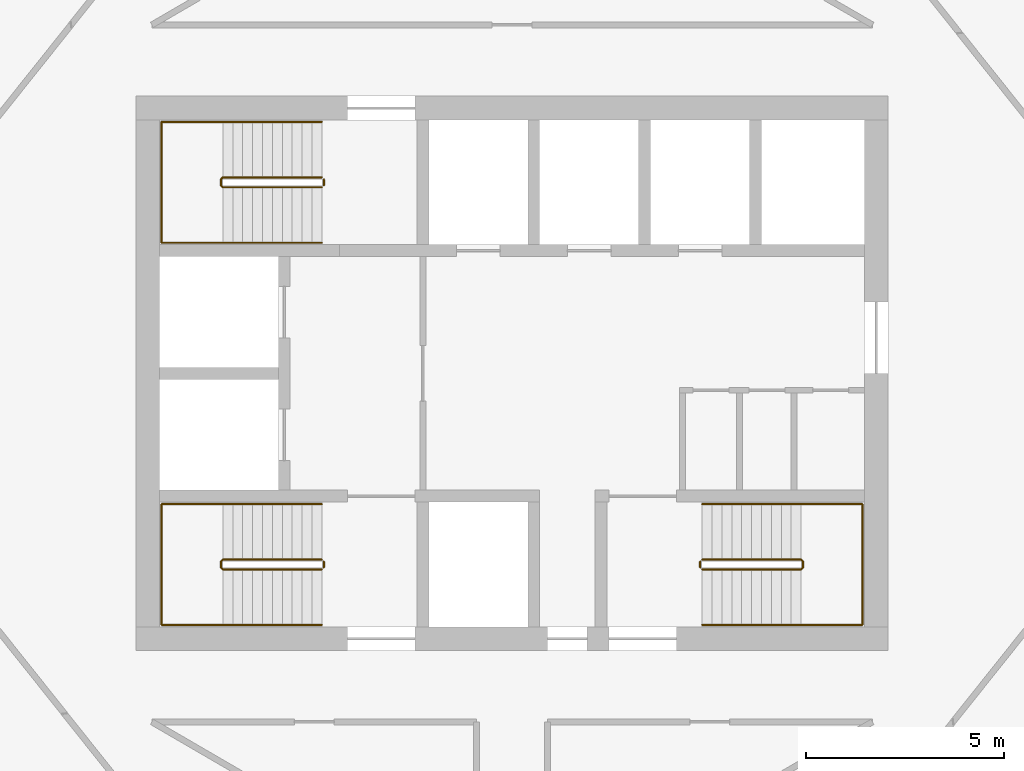
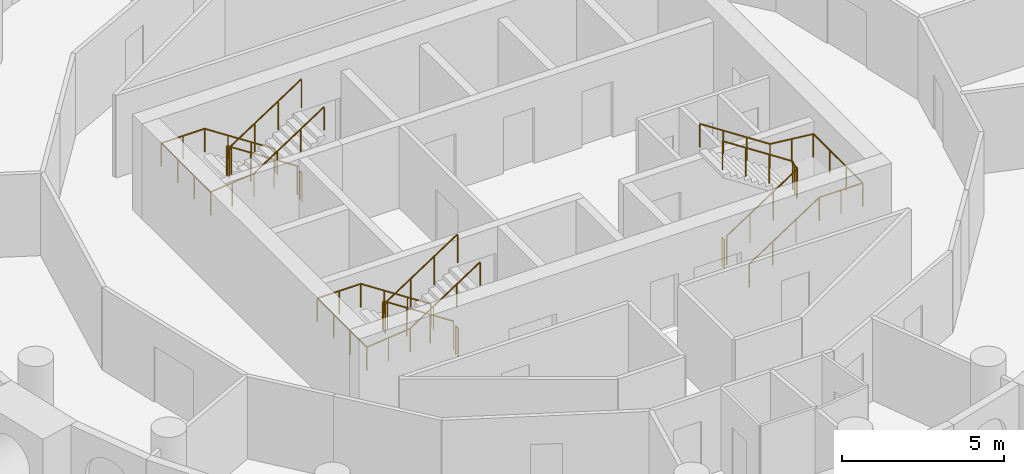
# One storey, part 13 of 13: 9 railings.
"""IFC4 building model written with IfcOpenShell, lengths in metres."""

from ifc_helpers import new_model, si_unit, direction, frame, origin, origin_2d, place, context, subcontext, project, spatial, circle, extrude, material, type_object, element, save


model = new_model("IFC4")

# Units and contexts
model_context = context("Model", 3, precision=1e-05, world=origin(), true_north=direction((0.0, 1.0)))
body_context = subcontext(model_context, "Body", "Model", "MODEL_VIEW")
ifc_project = project(units=[si_unit("LENGTHUNIT", "METRE"), si_unit("AREAUNIT", "SQUARE_METRE"), si_unit("VOLUMEUNIT", "CUBIC_METRE"), si_unit("PLANEANGLEUNIT", "RADIAN"), si_unit("MASSUNIT", "GRAM", prefix="KILO")], contexts=[model_context])

# Site, building, storey
site_placement = place(None, origin())
site = spatial("IfcSite", under=ifc_project, at=site_placement, CompositionType="ELEMENT")
building_placement = place(site_placement, origin())
building = spatial("IfcBuilding", under=site, at=building_placement, Name="Tracery Tower", CompositionType="ELEMENT")
storey_placement = place(building_placement, frame((0.0, 0.0, 274.199951171875)))
storey = spatial("IfcBuildingStorey", under=building, at=storey_placement, Name="L71", CompositionType="ELEMENT", Elevation=274.199951171875)

# Railings
ifc_material_1 = material(Name="Stainless steel and laminated glass", Category="steel")
railing_type_1 = type_object("IfcRailingType", Name="Stair guard 1100", PredefinedType="GUARDRAIL", material=ifc_material_1)
railing_1_placement = place(storey_placement, frame((-4.800048828125, -4.699951171875, 0.16357421875)))
element("IfcRailing", 1, at=railing_1_placement, inside=storey, type_object=railing_type_1, Name="L71 stair ST1 guard 1", PredefinedType="GUARDRAIL", context=body_context, shape_type="SweptSolid", body=[
    extrude(circle(Radius=0.02392578125, at=origin_2d()), frame((0.0, 0.0, 1.076171875), z_axis=(-0.83668449804, 0.0, 0.54768517484), x_axis=(0.0, -1.0, 0.0)), (0.0, 0.0, 1.0), 2.988037109375),
    extrude(circle(Radius=0.02392578125, at=origin_2d()), frame((-2.5, 0.0, 2.71240234375), z_axis=(-0.707106781187, -0.707106781187, 0.0), x_axis=(0.707106781187, -0.707106781187, 0.0)), (0.0, 0.0, 1.0), 0.07080078125),
    extrude(circle(Radius=0.02392578125, at=origin_2d()), frame((-2.550048828125, -0.050048828125, 2.71240234375), z_axis=(0.0, -1.0, 0.0), x_axis=(1.0, 0.0, 0.0)), (0.0, 0.0, 1.0), 0.14990234375),
    extrude(circle(Radius=0.02392578125, at=origin_2d()), frame((-2.550048828125, -0.199951171875, 2.71240234375), z_axis=(0.280808744504, -0.280808744504, 0.917765164963), x_axis=(0.707106781187, 0.707106781187, 0.0)), (0.0, 0.0, 1.0), 0.17822265625),
    extrude(circle(Radius=0.02392578125, at=origin_2d()), frame((-2.5, -0.25, 2.8759765625), z_axis=(0.83668449804, 0.0, 0.54768517484), x_axis=(0.0, 1.0, 0.0)), (0.0, 0.0, 1.0), 2.988037109375),
    extrude(circle(Radius=0.02099609375, at=origin_2d()), origin(), (0.0, 0.0, 1.0), 1.052001953125),
    extrude(circle(Radius=0.02099609375, at=origin_2d()), frame((-0.833251953125, 0.0, 0.54541015625)), (0.0, 0.0, 1.0), 1.052001953125),
    extrude(circle(Radius=0.02099609375, at=origin_2d()), frame((-1.666748046875, 0.0, 1.091064453125)), (0.0, 0.0, 1.0), 1.052001953125),
    extrude(circle(Radius=0.02099609375, at=origin_2d()), frame((-2.5, 0.0, 1.636474609375)), (0.0, 0.0, 1.0), 1.052001953125),
    extrude(circle(Radius=0.02099609375, at=origin_2d()), frame((-2.550048828125, -0.050048828125, 1.636474609375)), (0.0, 0.0, 1.0), 1.052001953125),
    extrude(circle(Radius=0.02099609375, at=origin_2d()), frame((-2.550048828125, -0.199951171875, 1.636474609375)), (0.0, 0.0, 1.0), 1.052001953125),
    extrude(circle(Radius=0.02099609375, at=origin_2d()), frame((-2.5, -0.25, 1.800048828125)), (0.0, 0.0, 1.0), 1.052001953125),
    extrude(circle(Radius=0.02099609375, at=origin_2d()), frame((-1.666748046875, -0.25, 2.345458984375)), (0.0, 0.0, 1.0), 1.052001953125),
    extrude(circle(Radius=0.02099609375, at=origin_2d()), frame((-0.833251953125, -0.25, 2.89111328125)), (0.0, 0.0, 1.0), 1.052001953125),
    extrude(circle(Radius=0.02099609375, at=origin_2d()), frame((0.0, -0.25, 3.4365234375)), (0.0, 0.0, 1.0), 1.052001953125),
])
railing_2_placement = place(storey_placement, frame((-4.75, -4.75, 0.0)))
element("IfcRailing", 2, at=railing_2_placement, inside=storey, type_object=railing_type_1, Name="L71 stair ST1 guard 2", PredefinedType="GUARDRAIL", context=body_context, shape_type="SweptSolid", body=[
    extrude(circle(Radius=0.02392578125, at=origin_2d()), frame((0.0, 0.0, 1.076171875), z_axis=(0.0, -1.0, 0.0), x_axis=(1.0, 0.0, 0.0)), (0.0, 0.0, 1.0), 0.14990234375),
    extrude(circle(Radius=0.02099609375, at=origin_2d()), origin(), (0.0, 0.0, 1.0), 1.052001953125),
    extrude(circle(Radius=0.02099609375, at=origin_2d()), frame((0.0, -0.14990234375, 0.0)), (0.0, 0.0, 1.0), 1.052001953125),
])
railing_3_placement = place(storey_placement, frame((-4.800048828125, 4.949951171875, 0.16357421875)))
element("IfcRailing", 3, at=railing_3_placement, inside=storey, type_object=railing_type_1, Name="L71 stair ST3 guard 1", PredefinedType="GUARDRAIL", context=body_context, shape_type="SweptSolid", body=[
    extrude(circle(Radius=0.02392578125, at=origin_2d()), frame((0.0, 0.0, 1.076171875), z_axis=(-0.83668449804, 0.0, 0.54768517484), x_axis=(0.0, -1.0, 0.0)), (0.0, 0.0, 1.0), 2.988037109375),
    extrude(circle(Radius=0.02392578125, at=origin_2d()), frame((-2.5, 0.0, 2.71240234375), z_axis=(-0.707106781187, -0.707106781187, 0.0), x_axis=(0.707106781187, -0.707106781187, 0.0)), (0.0, 0.0, 1.0), 0.07080078125),
    extrude(circle(Radius=0.02392578125, at=origin_2d()), frame((-2.550048828125, -0.050048828125, 2.71240234375), z_axis=(0.0, -1.0, 0.0), x_axis=(1.0, 0.0, 0.0)), (0.0, 0.0, 1.0), 0.14990234375),
    extrude(circle(Radius=0.02392578125, at=origin_2d()), frame((-2.550048828125, -0.199951171875, 2.71240234375), z_axis=(0.280808744504, -0.280808744504, 0.917765164963), x_axis=(0.707106781187, 0.707106781187, 0.0)), (0.0, 0.0, 1.0), 0.17822265625),
    extrude(circle(Radius=0.02392578125, at=origin_2d()), frame((-2.5, -0.25, 2.8759765625), z_axis=(0.83668449804, 0.0, 0.54768517484), x_axis=(0.0, 1.0, 0.0)), (0.0, 0.0, 1.0), 2.988037109375),
    extrude(circle(Radius=0.02099609375, at=origin_2d()), origin(), (0.0, 0.0, 1.0), 1.052001953125),
    extrude(circle(Radius=0.02099609375, at=origin_2d()), frame((-0.833251953125, 0.0, 0.54541015625)), (0.0, 0.0, 1.0), 1.052001953125),
    extrude(circle(Radius=0.02099609375, at=origin_2d()), frame((-1.666748046875, 0.0, 1.091064453125)), (0.0, 0.0, 1.0), 1.052001953125),
    extrude(circle(Radius=0.02099609375, at=origin_2d()), frame((-2.5, 0.0, 1.636474609375)), (0.0, 0.0, 1.0), 1.052001953125),
    extrude(circle(Radius=0.02099609375, at=origin_2d()), frame((-2.550048828125, -0.050048828125, 1.636474609375)), (0.0, 0.0, 1.0), 1.052001953125),
    extrude(circle(Radius=0.02099609375, at=origin_2d()), frame((-2.550048828125, -0.199951171875, 1.636474609375)), (0.0, 0.0, 1.0), 1.052001953125),
    extrude(circle(Radius=0.02099609375, at=origin_2d()), frame((-2.5, -0.25, 1.800048828125)), (0.0, 0.0, 1.0), 1.052001953125),
    extrude(circle(Radius=0.02099609375, at=origin_2d()), frame((-1.666748046875, -0.25, 2.345458984375)), (0.0, 0.0, 1.0), 1.052001953125),
    extrude(circle(Radius=0.02099609375, at=origin_2d()), frame((-0.833251953125, -0.25, 2.89111328125)), (0.0, 0.0, 1.0), 1.052001953125),
    extrude(circle(Radius=0.02099609375, at=origin_2d()), frame((0.0, -0.25, 3.4365234375)), (0.0, 0.0, 1.0), 1.052001953125),
])
railing_4_placement = place(storey_placement, frame((-4.75, 4.89990234375, 0.0)))
element("IfcRailing", 4, at=railing_4_placement, inside=storey, type_object=railing_type_1, Name="L71 stair ST3 guard 2", PredefinedType="GUARDRAIL", context=body_context, shape_type="SweptSolid", body=[
    extrude(circle(Radius=0.02392578125, at=origin_2d()), frame((0.0, 0.0, 1.076171875), z_axis=(0.0, -1.0, 0.0), x_axis=(1.0, 0.0, 0.0)), (0.0, 0.0, 1.0), 0.14990234375),
    extrude(circle(Radius=0.02099609375, at=origin_2d()), origin(), (0.0, 0.0, 1.0), 1.052001953125),
    extrude(circle(Radius=0.02099609375, at=origin_2d()), frame((0.0, -0.14990234375, 0.0)), (0.0, 0.0, 1.0), 1.052001953125),
])
railing_5_placement = place(storey_placement, frame((4.800048828125, -4.949951171875, 0.16357421875)))
element("IfcRailing", 5, at=railing_5_placement, inside=storey, type_object=railing_type_1, Name="L71 stair ST2 guard 1", PredefinedType="GUARDRAIL", context=body_context, shape_type="SweptSolid", body=[
    extrude(circle(Radius=0.02392578125, at=origin_2d()), frame((0.0, 0.0, 1.076171875), z_axis=(0.83668449804, 0.0, 0.54768517484), x_axis=(0.0, 1.0, 0.0)), (0.0, 0.0, 1.0), 2.988037109375),
    extrude(circle(Radius=0.02392578125, at=origin_2d()), frame((2.5, 0.0, 2.71240234375), z_axis=(0.707106781187, 0.707106781187, 0.0), x_axis=(-0.707106781187, 0.707106781187, 0.0)), (0.0, 0.0, 1.0), 0.07080078125),
    extrude(circle(Radius=0.02392578125, at=origin_2d()), frame((2.550048828125, 0.050048828125, 2.71240234375), z_axis=(0.0, 1.0, 0.0), x_axis=(-1.0, 0.0, 0.0)), (0.0, 0.0, 1.0), 0.14990234375),
    extrude(circle(Radius=0.02392578125, at=origin_2d()), frame((2.550048828125, 0.199951171875, 2.71240234375), z_axis=(-0.280808744504, 0.280808744504, 0.917765164963), x_axis=(-0.707106781187, -0.707106781187, 0.0)), (0.0, 0.0, 1.0), 0.17822265625),
    extrude(circle(Radius=0.02392578125, at=origin_2d()), frame((2.5, 0.25, 2.8759765625), z_axis=(-0.83668449804, 0.0, 0.54768517484), x_axis=(0.0, -1.0, 0.0)), (0.0, 0.0, 1.0), 2.988037109375),
    extrude(circle(Radius=0.02099609375, at=origin_2d()), origin(), (0.0, 0.0, 1.0), 1.052001953125),
    extrude(circle(Radius=0.02099609375, at=origin_2d()), frame((0.833251953125, 0.0, 0.54541015625)), (0.0, 0.0, 1.0), 1.052001953125),
    extrude(circle(Radius=0.02099609375, at=origin_2d()), frame((1.666748046875, 0.0, 1.091064453125)), (0.0, 0.0, 1.0), 1.052001953125),
    extrude(circle(Radius=0.02099609375, at=origin_2d()), frame((2.5, 0.0, 1.636474609375)), (0.0, 0.0, 1.0), 1.052001953125),
    extrude(circle(Radius=0.02099609375, at=origin_2d()), frame((2.550048828125, 0.050048828125, 1.636474609375)), (0.0, 0.0, 1.0), 1.052001953125),
    extrude(circle(Radius=0.02099609375, at=origin_2d()), frame((2.550048828125, 0.199951171875, 1.636474609375)), (0.0, 0.0, 1.0), 1.052001953125),
    extrude(circle(Radius=0.02099609375, at=origin_2d()), frame((2.5, 0.25, 1.800048828125)), (0.0, 0.0, 1.0), 1.052001953125),
    extrude(circle(Radius=0.02099609375, at=origin_2d()), frame((1.666748046875, 0.25, 2.345458984375)), (0.0, 0.0, 1.0), 1.052001953125),
    extrude(circle(Radius=0.02099609375, at=origin_2d()), frame((0.833251953125, 0.25, 2.89111328125)), (0.0, 0.0, 1.0), 1.052001953125),
    extrude(circle(Radius=0.02099609375, at=origin_2d()), frame((0.0, 0.25, 3.4365234375)), (0.0, 0.0, 1.0), 1.052001953125),
])
railing_6_placement = place(storey_placement, frame((4.75, -4.89990234375, 0.0)))
element("IfcRailing", 6, at=railing_6_placement, inside=storey, type_object=railing_type_1, Name="L71 stair ST2 guard 2", PredefinedType="GUARDRAIL", context=body_context, shape_type="SweptSolid", body=[
    extrude(circle(Radius=0.02392578125, at=origin_2d()), frame((0.0, 0.0, 1.076171875), z_axis=(0.0, 1.0, 0.0), x_axis=(-1.0, 0.0, 0.0)), (0.0, 0.0, 1.0), 0.14990234375),
    extrude(circle(Radius=0.02099609375, at=origin_2d()), origin(), (0.0, 0.0, 1.0), 1.052001953125),
    extrude(circle(Radius=0.02099609375, at=origin_2d()), frame((0.0, 0.14990234375, 0.0)), (0.0, 0.0, 1.0), 1.052001953125),
])
ifc_material_2 = material(Name="Stainless steel and laminated glass", Category="steel")
railing_type_2 = type_object("IfcRailingType", Name="Stair handrail 900", PredefinedType="HANDRAIL", material=ifc_material_2)
railing_7_placement = place(storey_placement, frame((-4.800048828125, -3.300048828125, 0.16357421875)))
element("IfcRailing", 7, at=railing_7_placement, inside=storey, type_object=railing_type_2, Name="L71 stair ST1 handrail 1", PredefinedType="HANDRAIL", context=body_context, shape_type="SweptSolid", body=[
    extrude(circle(Radius=0.02392578125, at=origin_2d()), frame((0.0, 0.0, 0.8759765625), z_axis=(-0.83668449804, 0.0, 0.54768517484), x_axis=(0.0, -1.0, 0.0)), (0.0, 0.0, 1.0), 2.988037109375),
    extrude(circle(Radius=0.02392578125, at=origin_2d()), frame((-2.5, 0.0, 2.51220703125), z_axis=(-1.0, 0.0, 0.0), x_axis=(0.0, -1.0, 0.0)), (0.0, 0.0, 1.0), 1.550048828125),
    extrude(circle(Radius=0.02392578125, at=origin_2d()), frame((-4.050048828125, 0.0, 2.51220703125), z_axis=(0.0, -1.0, 0.0), x_axis=(1.0, 0.0, 0.0)), (0.0, 0.0, 1.0), 3.050048828125),
    extrude(circle(Radius=0.02392578125, at=origin_2d()), frame((-4.050048828125, -3.050048828125, 2.51220703125), z_axis=(0.994477953863, 0.0, 0.104945696817), x_axis=(0.0, 1.0, 0.0)), (0.0, 0.0, 1.0), 1.55859375),
    extrude(circle(Radius=0.02392578125, at=origin_2d()), frame((-2.5, -3.050048828125, 2.67578125), z_axis=(0.83668449804, 0.0, 0.54768517484), x_axis=(0.0, 1.0, 0.0)), (0.0, 0.0, 1.0), 2.988037109375),
    extrude(circle(Radius=0.02099609375, at=origin_2d()), origin(), (0.0, 0.0, 1.0), 0.851806640625),
    extrude(circle(Radius=0.02099609375, at=origin_2d()), frame((-0.833251953125, 0.0, 0.54541015625)), (0.0, 0.0, 1.0), 0.851806640625),
    extrude(circle(Radius=0.02099609375, at=origin_2d()), frame((-1.666748046875, 0.0, 1.091064453125)), (0.0, 0.0, 1.0), 0.851806640625),
    extrude(circle(Radius=0.02099609375, at=origin_2d()), frame((-2.5, 0.0, 1.636474609375)), (0.0, 0.0, 1.0), 0.851806640625),
    extrude(circle(Radius=0.02099609375, at=origin_2d()), frame((-3.27490234375, 0.0, 1.636474609375)), (0.0, 0.0, 1.0), 0.851806640625),
    extrude(circle(Radius=0.02099609375, at=origin_2d()), frame((-4.050048828125, 0.0, 1.636474609375)), (0.0, 0.0, 1.0), 0.851806640625),
    extrude(circle(Radius=0.02099609375, at=origin_2d()), frame((-4.050048828125, -1.0166015625, 1.636474609375)), (0.0, 0.0, 1.0), 0.851806640625),
    extrude(circle(Radius=0.02099609375, at=origin_2d()), frame((-4.050048828125, -2.033447265625, 1.636474609375)), (0.0, 0.0, 1.0), 0.851806640625),
    extrude(circle(Radius=0.02099609375, at=origin_2d()), frame((-4.050048828125, -3.050048828125, 1.636474609375)), (0.0, 0.0, 1.0), 0.851806640625),
    extrude(circle(Radius=0.02099609375, at=origin_2d()), frame((-3.27490234375, -3.050048828125, 1.71826171875)), (0.0, 0.0, 1.0), 0.851806640625),
    extrude(circle(Radius=0.02099609375, at=origin_2d()), frame((-2.5, -3.050048828125, 1.800048828125)), (0.0, 0.0, 1.0), 0.851806640625),
    extrude(circle(Radius=0.02099609375, at=origin_2d()), frame((-1.666748046875, -3.050048828125, 2.345458984375)), (0.0, 0.0, 1.0), 0.851806640625),
    extrude(circle(Radius=0.02099609375, at=origin_2d()), frame((-0.833251953125, -3.050048828125, 2.89111328125)), (0.0, 0.0, 1.0), 0.851806640625),
    extrude(circle(Radius=0.02099609375, at=origin_2d()), frame((0.0, -3.050048828125, 3.4365234375)), (0.0, 0.0, 1.0), 0.851806640625),
])
railing_8_placement = place(storey_placement, frame((-4.800048828125, 6.35009765625, 0.16357421875)))
element("IfcRailing", 8, at=railing_8_placement, inside=storey, type_object=railing_type_2, Name="L71 stair ST3 handrail 1", PredefinedType="HANDRAIL", context=body_context, shape_type="SweptSolid", body=[
    extrude(circle(Radius=0.02392578125, at=origin_2d()), frame((0.0, 0.0, 0.8759765625), z_axis=(-0.83668449804, 0.0, 0.54768517484), x_axis=(0.0, -1.0, 0.0)), (0.0, 0.0, 1.0), 2.988037109375),
    extrude(circle(Radius=0.02392578125, at=origin_2d()), frame((-2.5, 0.0, 2.51220703125), z_axis=(-1.0, 0.0, 0.0), x_axis=(0.0, -1.0, 0.0)), (0.0, 0.0, 1.0), 1.550048828125),
    extrude(circle(Radius=0.02392578125, at=origin_2d()), frame((-4.050048828125, 0.0, 2.51220703125), z_axis=(0.0, -1.0, 0.0), x_axis=(1.0, 0.0, 0.0)), (0.0, 0.0, 1.0), 3.050048828125),
    extrude(circle(Radius=0.02392578125, at=origin_2d()), frame((-4.050048828125, -3.050048828125, 2.51220703125), z_axis=(0.994477953863, 0.0, 0.104945696817), x_axis=(0.0, 1.0, 0.0)), (0.0, 0.0, 1.0), 1.55859375),
    extrude(circle(Radius=0.02392578125, at=origin_2d()), frame((-2.5, -3.050048828125, 2.67578125), z_axis=(0.83668449804, 0.0, 0.54768517484), x_axis=(0.0, 1.0, 0.0)), (0.0, 0.0, 1.0), 2.988037109375),
    extrude(circle(Radius=0.02099609375, at=origin_2d()), origin(), (0.0, 0.0, 1.0), 0.851806640625),
    extrude(circle(Radius=0.02099609375, at=origin_2d()), frame((-0.833251953125, 0.0, 0.54541015625)), (0.0, 0.0, 1.0), 0.851806640625),
    extrude(circle(Radius=0.02099609375, at=origin_2d()), frame((-1.666748046875, 0.0, 1.091064453125)), (0.0, 0.0, 1.0), 0.851806640625),
    extrude(circle(Radius=0.02099609375, at=origin_2d()), frame((-2.5, 0.0, 1.636474609375)), (0.0, 0.0, 1.0), 0.851806640625),
    extrude(circle(Radius=0.02099609375, at=origin_2d()), frame((-3.27490234375, 0.0, 1.636474609375)), (0.0, 0.0, 1.0), 0.851806640625),
    extrude(circle(Radius=0.02099609375, at=origin_2d()), frame((-4.050048828125, 0.0, 1.636474609375)), (0.0, 0.0, 1.0), 0.851806640625),
    extrude(circle(Radius=0.02099609375, at=origin_2d()), frame((-4.050048828125, -1.0166015625, 1.636474609375)), (0.0, 0.0, 1.0), 0.851806640625),
    extrude(circle(Radius=0.02099609375, at=origin_2d()), frame((-4.050048828125, -2.033447265625, 1.636474609375)), (0.0, 0.0, 1.0), 0.851806640625),
    extrude(circle(Radius=0.02099609375, at=origin_2d()), frame((-4.050048828125, -3.050048828125, 1.636474609375)), (0.0, 0.0, 1.0), 0.851806640625),
    extrude(circle(Radius=0.02099609375, at=origin_2d()), frame((-3.27490234375, -3.050048828125, 1.71826171875)), (0.0, 0.0, 1.0), 0.851806640625),
    extrude(circle(Radius=0.02099609375, at=origin_2d()), frame((-2.5, -3.050048828125, 1.800048828125)), (0.0, 0.0, 1.0), 0.851806640625),
    extrude(circle(Radius=0.02099609375, at=origin_2d()), frame((-1.666748046875, -3.050048828125, 2.345458984375)), (0.0, 0.0, 1.0), 0.851806640625),
    extrude(circle(Radius=0.02099609375, at=origin_2d()), frame((-0.833251953125, -3.050048828125, 2.89111328125)), (0.0, 0.0, 1.0), 0.851806640625),
    extrude(circle(Radius=0.02099609375, at=origin_2d()), frame((0.0, -3.050048828125, 3.4365234375)), (0.0, 0.0, 1.0), 0.851806640625),
])
railing_9_placement = place(storey_placement, frame((4.800048828125, -6.35009765625, 0.16357421875)))
element("IfcRailing", 9, at=railing_9_placement, inside=storey, type_object=railing_type_2, Name="L71 stair ST2 handrail 1", PredefinedType="HANDRAIL", context=body_context, shape_type="SweptSolid", body=[
    extrude(circle(Radius=0.02392578125, at=origin_2d()), frame((0.0, 0.0, 0.8759765625), z_axis=(0.83668449804, 0.0, 0.54768517484), x_axis=(0.0, 1.0, 0.0)), (0.0, 0.0, 1.0), 2.988037109375),
    extrude(circle(Radius=0.02392578125, at=origin_2d()), frame((2.5, 0.0, 2.51220703125), z_axis=(1.0, 0.0, 0.0), x_axis=(0.0, 1.0, 0.0)), (0.0, 0.0, 1.0), 1.550048828125),
    extrude(circle(Radius=0.02392578125, at=origin_2d()), frame((4.050048828125, 0.0, 2.51220703125), z_axis=(0.0, 1.0, 0.0), x_axis=(-1.0, 0.0, 0.0)), (0.0, 0.0, 1.0), 3.050048828125),
    extrude(circle(Radius=0.02392578125, at=origin_2d()), frame((4.050048828125, 3.050048828125, 2.51220703125), z_axis=(-0.994477953863, 0.0, 0.104945696817), x_axis=(0.0, -1.0, 0.0)), (0.0, 0.0, 1.0), 1.55859375),
    extrude(circle(Radius=0.02392578125, at=origin_2d()), frame((2.5, 3.050048828125, 2.67578125), z_axis=(-0.83668449804, 0.0, 0.54768517484), x_axis=(0.0, -1.0, 0.0)), (0.0, 0.0, 1.0), 2.988037109375),
    extrude(circle(Radius=0.02099609375, at=origin_2d()), origin(), (0.0, 0.0, 1.0), 0.851806640625),
    extrude(circle(Radius=0.02099609375, at=origin_2d()), frame((0.833251953125, 0.0, 0.54541015625)), (0.0, 0.0, 1.0), 0.851806640625),
    extrude(circle(Radius=0.02099609375, at=origin_2d()), frame((1.666748046875, 0.0, 1.091064453125)), (0.0, 0.0, 1.0), 0.851806640625),
    extrude(circle(Radius=0.02099609375, at=origin_2d()), frame((2.5, 0.0, 1.636474609375)), (0.0, 0.0, 1.0), 0.851806640625),
    extrude(circle(Radius=0.02099609375, at=origin_2d()), frame((3.27490234375, 0.0, 1.636474609375)), (0.0, 0.0, 1.0), 0.851806640625),
    extrude(circle(Radius=0.02099609375, at=origin_2d()), frame((4.050048828125, 0.0, 1.636474609375)), (0.0, 0.0, 1.0), 0.851806640625),
    extrude(circle(Radius=0.02099609375, at=origin_2d()), frame((4.050048828125, 1.0166015625, 1.636474609375)), (0.0, 0.0, 1.0), 0.851806640625),
    extrude(circle(Radius=0.02099609375, at=origin_2d()), frame((4.050048828125, 2.033447265625, 1.636474609375)), (0.0, 0.0, 1.0), 0.851806640625),
    extrude(circle(Radius=0.02099609375, at=origin_2d()), frame((4.050048828125, 3.050048828125, 1.636474609375)), (0.0, 0.0, 1.0), 0.851806640625),
    extrude(circle(Radius=0.02099609375, at=origin_2d()), frame((3.27490234375, 3.050048828125, 1.71826171875)), (0.0, 0.0, 1.0), 0.851806640625),
    extrude(circle(Radius=0.02099609375, at=origin_2d()), frame((2.5, 3.050048828125, 1.800048828125)), (0.0, 0.0, 1.0), 0.851806640625),
    extrude(circle(Radius=0.02099609375, at=origin_2d()), frame((1.666748046875, 3.050048828125, 2.345458984375)), (0.0, 0.0, 1.0), 0.851806640625),
    extrude(circle(Radius=0.02099609375, at=origin_2d()), frame((0.833251953125, 3.050048828125, 2.89111328125)), (0.0, 0.0, 1.0), 0.851806640625),
    extrude(circle(Radius=0.02099609375, at=origin_2d()), frame((0.0, 3.050048828125, 3.4365234375)), (0.0, 0.0, 1.0), 0.851806640625),
])

save(model, "model.ifc")
